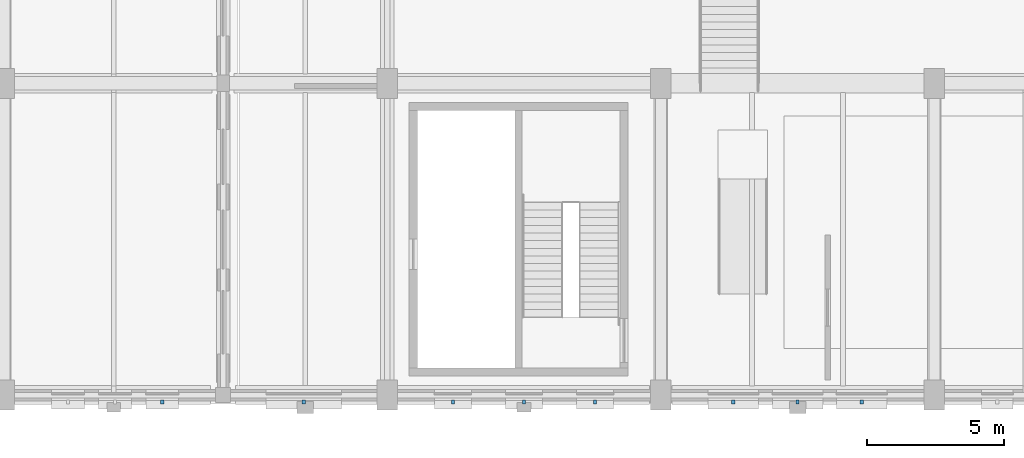
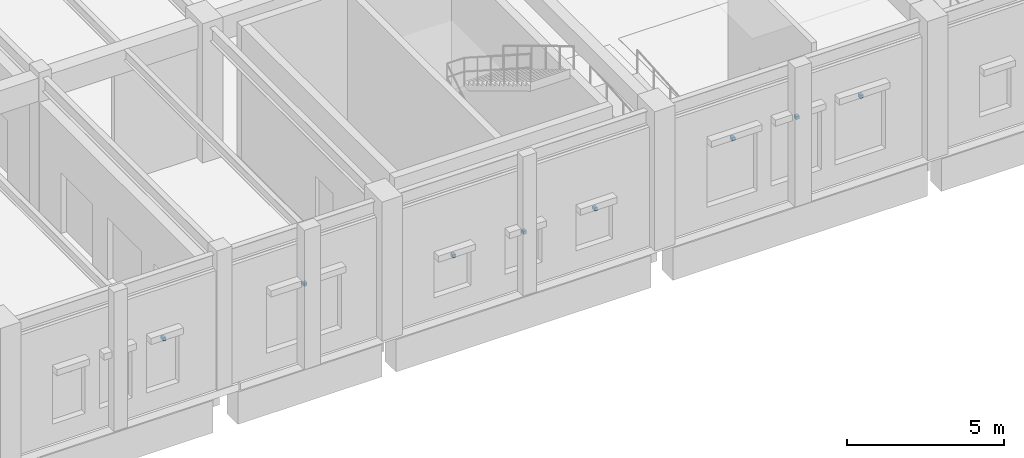
# One storey, part 98 of 113: 8 discrete accessories.
"""IFC4 building model written with IfcOpenShell, lengths in metres."""

from ifc_helpers import new_model, si_unit, direction, frame, origin, origin_2d, place, context, subcontext, project, spatial, rectangle, extrude, material, type_object, element, save


model = new_model("IFC4")

# Units and contexts
model_context = context("Model", 3, precision=1e-05, world=origin(), true_north=direction((0.0, 1.0)))
body_context = subcontext(model_context, "Body", "Model", "MODEL_VIEW")
ifc_project = project(units=[si_unit("LENGTHUNIT", "METRE"), si_unit("AREAUNIT", "SQUARE_METRE"), si_unit("VOLUMEUNIT", "CUBIC_METRE"), si_unit("PLANEANGLEUNIT", "RADIAN"), si_unit("MASSUNIT", "GRAM", prefix="KILO"), si_unit("POWERUNIT", "WATT"), si_unit("THERMODYNAMICTEMPERATUREUNIT", "KELVIN")], contexts=[model_context])

# Site, building, storey
site_placement = place(None, origin())
site = spatial("IfcSite", under=ifc_project, at=site_placement, CompositionType="ELEMENT")
building_placement = place(site_placement, origin())
building = spatial("IfcBuilding", under=site, at=building_placement, Name="Kelmbourne Parkland Aquatics Centre", CompositionType="ELEMENT")
storey_placement = place(building_placement, origin())
storey = spatial("IfcBuildingStorey", under=building, at=storey_placement, Name="L00", CompositionType="ELEMENT", Elevation=0.0)

# Discrete accessories
ifc_material = material(Name="Hot-dip galvanised structural steel AS/NZS 4680", Category="steel")
discrete_accessory_type = type_object("IfcDiscreteAccessoryType", Name="ACC-BRK-1", PredefinedType="BRACKET", material=ifc_material)
for number, where, z_axis, x_axis, name in (
    (1, (37.77294921875, 0.544921875, 2.639892578125), (0.0, 0.0, 1.0), (1.0, 0.0, 0.0), "Galvanised sunshade fixing bracket 031"),
    (2, (42.949951171875, 0.544921875, 2.93994140625), (0.0, 0.0, 1.0), (1.0, 0.0, 0.0), "Galvanised sunshade fixing bracket 045"),
    (3, (48.402099609375, 0.544921875, 2.139892578125), (0.0, 0.0, 1.0), (1.0, 0.0, 0.0), "Galvanised sunshade fixing bracket 046"),
    (4, (51.0, 0.544921875, 2.139892578125), (0.0, 0.0, 1.0), (1.0, 0.0, 0.0), "Galvanised sunshade fixing bracket 047"),
    (5, (53.597900390625, 0.544921875, 2.139892578125), (0.0, 0.0, 1.0), (1.0, 0.0, 0.0), "Galvanised sunshade fixing bracket 048"),
    (6, (58.652099609375, 0.544921875, 3.08984375), (0.0, 0.0, 1.0), (1.0, 0.0, 0.0), "Galvanised sunshade fixing bracket 049"),
    (7, (61.0, 0.544921875, 3.08984375), (0.0, 0.0, 1.0), (1.0, 0.0, 0.0), "Galvanised sunshade fixing bracket 050"),
    (8, (63.347900390625, 0.544921875, 3.08984375), (0.0, 0.0, 1.0), (1.0, 0.0, 0.0), "Galvanised sunshade fixing bracket 051"),
):
    element("IfcDiscreteAccessory", number, at=place(storey_placement, frame(where, z_axis=z_axis, x_axis=x_axis)), inside=storey, type_object=discrete_accessory_type, Name=name, PredefinedType="BRACKET", context=body_context, shape_type="SweptSolid", body=[
        extrude(rectangle(XDim=0.1201171875, YDim=0.139892578125, at=origin_2d()), origin(), (0.0, 0.0, 1.0), 0.1201171875),
    ])

save(model, "model.ifc")
